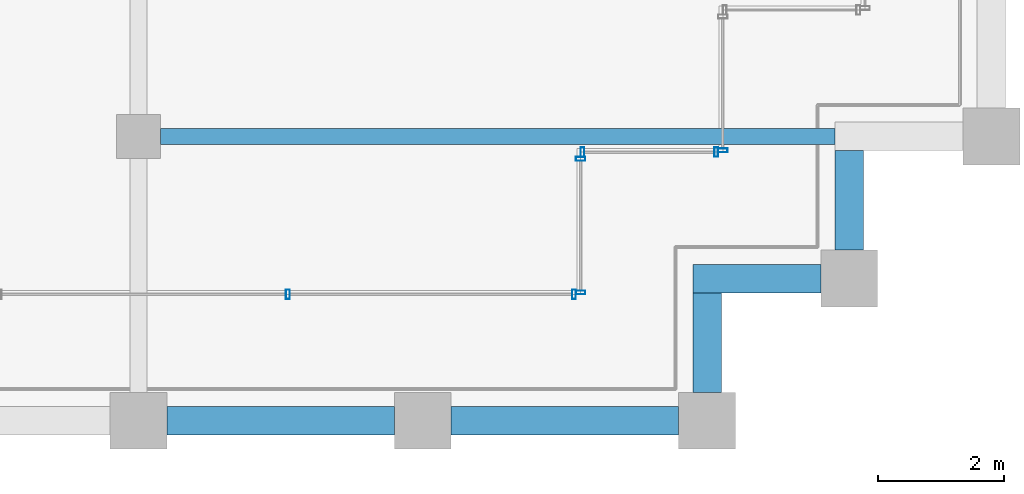
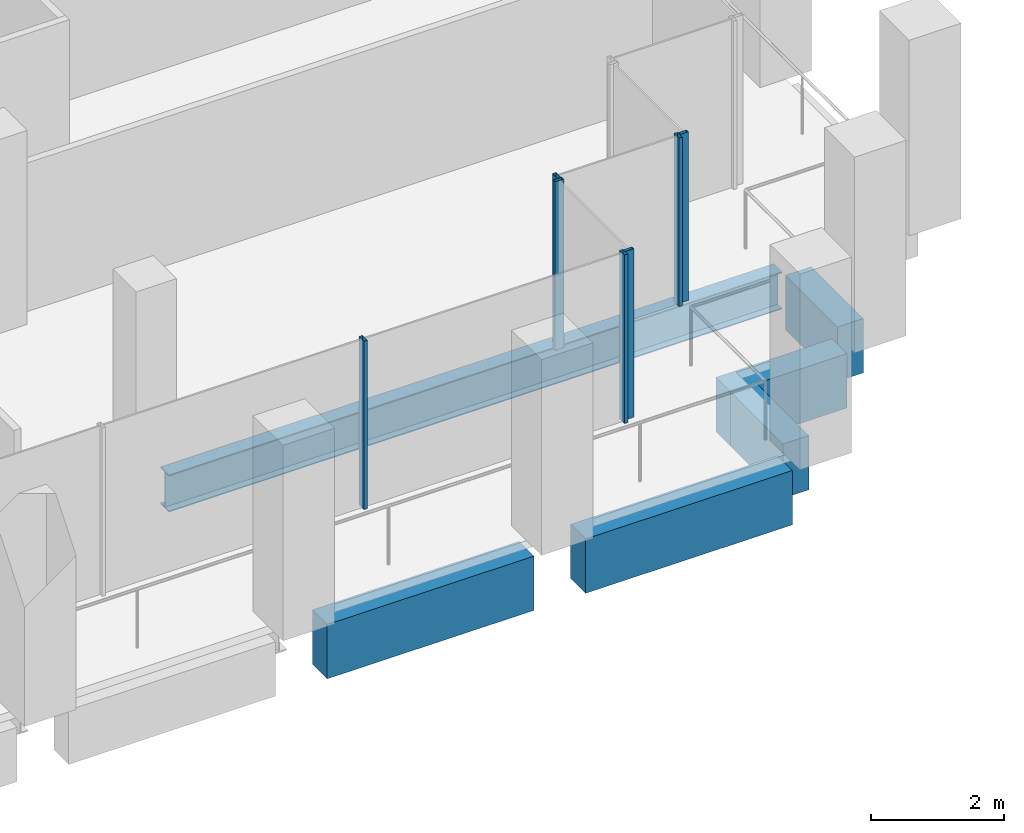
# One storey, part 12 of 40: 7 members, 6 beams, 4 elements without a shape of their own.
"""IFC4 building model written with IfcOpenShell, lengths in metres."""

from ifc_helpers import new_model, si_unit, direction, frame, origin, origin_2d, place, context, subcontext, project, spatial, rectangle, hollow_rectangle, i_section, extrude, material, material_profile, profile_set, type_object, element, aggregate, save


model = new_model("IFC4")

# Units and contexts
model_context = context("Model", 3, precision=1e-05, world=origin(), true_north=direction((0.0, 1.0)))
body_context = subcontext(model_context, "Body", "Model", "MODEL_VIEW")
ifc_project = project(units=[si_unit("LENGTHUNIT", "METRE"), si_unit("AREAUNIT", "SQUARE_METRE"), si_unit("VOLUMEUNIT", "CUBIC_METRE"), si_unit("PLANEANGLEUNIT", "RADIAN"), si_unit("MASSUNIT", "GRAM", prefix="KILO")], contexts=[model_context])

# Site, building, storey
site_placement = place(None, origin())
site = spatial("IfcSite", under=ifc_project, at=site_placement, CompositionType="ELEMENT")
building_placement = place(site_placement, origin())
building = spatial("IfcBuilding", under=site, at=building_placement, Name="Altepetl Exchange Towers", CompositionType="ELEMENT")
storey_placement = place(building_placement, frame((0.0, 0.0, 176.199951171875)))
storey = spatial("IfcBuildingStorey", under=building, at=storey_placement, Name="L44", CompositionType="ELEMENT", Elevation=176.199951171875)

# Beam
ifc_material_1 = material(Name="Steel S355", Category="steel")
ifc_material_profile_1 = material_profile(ifc_material_1, i_section(OverallWidth=0.25390625, OverallDepth=0.68408203125, WebThickness=0.012451171875, FlangeThickness=0.018798828125, at=origin_2d()), Name="W27X94")
ifc_profile_set_1 = profile_set([ifc_material_profile_1], Name="Steel S355")
beam_type_1 = type_object("IfcBeamType", Name="Floor beam W27X94", PredefinedType="BEAM", material=ifc_profile_set_1)
beam_1_placement = place(storey_placement, frame((58.85009765625, 31.5, -0.491943359375), z_axis=(1.0, 0.0, 0.0), x_axis=(0.0, 1.0, 0.0)))
element("IfcBeam", 1, at=beam_1_placement, inside=storey, type_object=beam_type_1, Name="bm:A:L44:006", PredefinedType="BEAM", context=body_context, shape_type="SweptSolid", body=[
    extrude(i_section(OverallWidth=0.25390625, OverallDepth=0.68408203125, WebThickness=0.012451171875, FlangeThickness=0.018798828125, at=origin_2d()), origin(), (0.0, 0.0, 1.0), 10.6748046875),
])

# Curtain wall, members
ifc_material_2 = material(Name="Aluminium 6063-T6 glazing", Category="aluminium")
curtain_wall_type = type_object("IfcCurtainWallType", Name="Loggia glazing system", PredefinedType="NOTDEFINED", material=ifc_material_2)
curtain_wall_1_placement = place(storey_placement, origin())
curtain_wall_1 = element("IfcCurtainWall", 2, at=curtain_wall_1_placement, inside=storey, type_object=curtain_wall_type, Name="CW1 run", PredefinedType="NOTDEFINED")
ifc_material_3 = material(Name="Aluminium 6063-T6", Category="aluminium")
ifc_material_profile_2 = material_profile(ifc_material_3, hollow_rectangle(XDim=0.06005859375, YDim=0.14990234375, WallThickness=0.0029296875, at=origin_2d()), Name="Mullion 60x150 aluminium")
ifc_profile_set_2 = profile_set([ifc_material_profile_2], Name="Aluminium 6063-T6")
member_type = type_object("IfcMemberType", Name="Mullion 60x150 aluminium", PredefinedType="MULLION", material=ifc_profile_set_2)
member_1_placement = place(storey_placement, frame((60.8642578125, 29.0, 0.0)))
member_1 = element("IfcMember", 3, at=member_1_placement, type_object=member_type, Name="MU1 mullion", PredefinedType="MULLION", context=body_context, shape_type="SweptSolid", body=[
    extrude(hollow_rectangle(XDim=0.06005859375, YDim=0.14990234375, WallThickness=0.0029296875, at=origin_2d()), origin(), (0.0, 0.0, 1.0), 3.10009765625),
])
member_2_placement = place(storey_placement, frame((65.39501953125, 29.0, 0.0)))
member_2 = element("IfcMember", 4, at=member_2_placement, type_object=member_type, Name="MU1 mullion", PredefinedType="MULLION", context=body_context, shape_type="SweptSolid", body=[
    extrude(hollow_rectangle(XDim=0.06005859375, YDim=0.14990234375, WallThickness=0.0029296875, at=origin_2d()), origin(), (0.0, 0.0, 1.0), 3.10009765625),
])
aggregate(curtain_wall_1, [member_1, member_2])

curtain_wall_2_placement = place(storey_placement, origin())
curtain_wall_2 = element("IfcCurtainWall", 5, at=curtain_wall_2_placement, inside=storey, type_object=curtain_wall_type, Name="CW1 run", PredefinedType="NOTDEFINED")
member_3_placement = place(storey_placement, frame((65.5, 29.030029296875, 0.0), z_axis=(0.0, 0.0, 1.0), x_axis=(0.0, 1.0, 0.0)))
member_3 = element("IfcMember", 6, at=member_3_placement, type_object=member_type, Name="MU1 mullion", PredefinedType="MULLION", context=body_context, shape_type="SweptSolid", body=[
    extrude(hollow_rectangle(XDim=0.06005859375, YDim=0.14990234375, WallThickness=0.0029296875, at=origin_2d()), origin(), (0.0, 0.0, 1.0), 3.10009765625),
])
member_4_placement = place(storey_placement, frame((65.5, 31.14501953125, 0.0), z_axis=(0.0, 0.0, 1.0), x_axis=(0.0, 1.0, 0.0)))
member_4 = element("IfcMember", 7, at=member_4_placement, type_object=member_type, Name="MU1 mullion", PredefinedType="MULLION", context=body_context, shape_type="SweptSolid", body=[
    extrude(hollow_rectangle(XDim=0.06005859375, YDim=0.14990234375, WallThickness=0.0029296875, at=origin_2d()), origin(), (0.0, 0.0, 1.0), 3.10009765625),
])
aggregate(curtain_wall_2, [member_3, member_4])

curtain_wall_3_placement = place(storey_placement, origin())
curtain_wall_3 = element("IfcCurtainWall", 8, at=curtain_wall_3_placement, inside=storey, type_object=curtain_wall_type, Name="CW1 run", PredefinedType="NOTDEFINED")
member_5_placement = place(storey_placement, frame((65.530029296875, 31.25, 0.0)))
member_5 = element("IfcMember", 9, at=member_5_placement, type_object=member_type, Name="MU1 mullion", PredefinedType="MULLION", context=body_context, shape_type="SweptSolid", body=[
    extrude(hollow_rectangle(XDim=0.06005859375, YDim=0.14990234375, WallThickness=0.0029296875, at=origin_2d()), origin(), (0.0, 0.0, 1.0), 3.10009765625),
])
member_6_placement = place(storey_placement, frame((67.64501953125, 31.25, 0.0)))
member_6 = element("IfcMember", 10, at=member_6_placement, type_object=member_type, Name="MU1 mullion", PredefinedType="MULLION", context=body_context, shape_type="SweptSolid", body=[
    extrude(hollow_rectangle(XDim=0.06005859375, YDim=0.14990234375, WallThickness=0.0029296875, at=origin_2d()), origin(), (0.0, 0.0, 1.0), 3.10009765625),
])
aggregate(curtain_wall_3, [member_5, member_6])

# Curtain wall, member
curtain_wall_4_placement = place(storey_placement, origin())
curtain_wall_4 = element("IfcCurtainWall", 11, at=curtain_wall_4_placement, inside=storey, type_object=curtain_wall_type, Name="CW1 run", PredefinedType="NOTDEFINED")
member_7_placement = place(storey_placement, frame((67.75, 31.280029296875, 0.0), z_axis=(0.0, 0.0, 1.0), x_axis=(0.0, 1.0, 0.0)))
member_7 = element("IfcMember", 12, at=member_7_placement, type_object=member_type, Name="MU1 mullion", PredefinedType="MULLION", context=body_context, shape_type="SweptSolid", body=[
    extrude(hollow_rectangle(XDim=0.06005859375, YDim=0.14990234375, WallThickness=0.0029296875, at=origin_2d()), origin(), (0.0, 0.0, 1.0), 3.10009765625),
])
aggregate(curtain_wall_4, [member_7])

# Beams
ifc_material_4 = material(Name="Concrete C50/60 precast with cantera amarilla facing", Category="concrete")
ifc_material_profile_3 = material_profile(ifc_material_4, rectangle(XDim=0.449951171875, YDim=1.0, at=origin_2d()), Name="450 x 1000")
ifc_profile_set_3 = profile_set([ifc_material_profile_3], Name="Concrete C50/60 precast with cantera amarilla facing")
beam_type_2 = type_object("IfcBeamType", Name="Spandrel beam 450x1000 cantera amarilla", PredefinedType="SPANDREL", material=ifc_profile_set_3)
for number, where, z_axis, x_axis, name in (
    (13, (58.949951171875, 27.0, -0.64990234375), (1.0, 0.0, 0.0), (0.0, 1.0, 0.0), "sp:A:L44:006"),
    (14, (63.449951171875, 27.0, -0.64990234375), (1.0, 0.0, 0.0), (0.0, 1.0, 0.0), "sp:A:L44:007"),
):
    element("IfcBeam", number, at=place(storey_placement, frame(where, z_axis=z_axis, x_axis=x_axis)), inside=storey, type_object=beam_type_2, Name=name, PredefinedType="SPANDREL", context=body_context, shape_type="SweptSolid", body=[
        extrude(rectangle(XDim=0.449951171875, YDim=1.0, at=origin_2d()), origin(), (0.0, 0.0, 1.0), 3.60009765625),
    ])
beam_2_placement = place(storey_placement, frame((67.5, 27.449951171875, -0.64990234375), z_axis=(0.0, 1.0, 0.0), x_axis=(-1.0, 0.0, 0.0)))
element("IfcBeam", 15, at=beam_2_placement, inside=storey, type_object=beam_type_2, Name="sp:A:L44:008", PredefinedType="SPANDREL", context=body_context, shape_type="SweptSolid", body=[
    extrude(rectangle(XDim=0.449951171875, YDim=1.0, at=origin_2d()), origin(), (0.0, 0.0, 1.0), 1.574951171875),
])
beam_3_placement = place(storey_placement, frame((67.27490234375, 29.25, -0.64990234375), z_axis=(1.0, 0.0, 0.0), x_axis=(0.0, 1.0, 0.0)))
element("IfcBeam", 16, at=beam_3_placement, inside=storey, type_object=beam_type_2, Name="sp:A:L44:009", PredefinedType="SPANDREL", context=body_context, shape_type="SweptSolid", body=[
    extrude(rectangle(XDim=0.449951171875, YDim=1.0, at=origin_2d()), origin(), (0.0, 0.0, 1.0), 2.025146484375),
])
beam_4_placement = place(storey_placement, frame((69.75, 29.699951171875, -0.64990234375), z_axis=(0.0, 1.0, 0.0), x_axis=(-1.0, 0.0, 0.0)))
element("IfcBeam", 17, at=beam_4_placement, inside=storey, type_object=beam_type_2, Name="sp:A:L44:010", PredefinedType="SPANDREL", context=body_context, shape_type="SweptSolid", body=[
    extrude(rectangle(XDim=0.449951171875, YDim=1.0, at=origin_2d()), origin(), (0.0, 0.0, 1.0), 1.574951171875),
])

save(model, "model.ifc")
